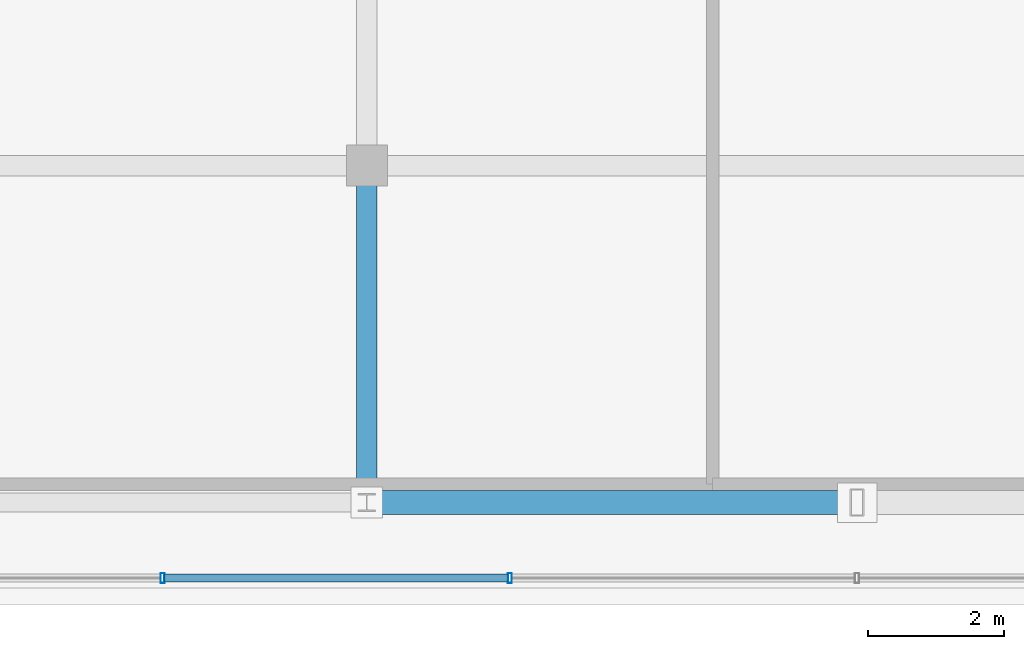
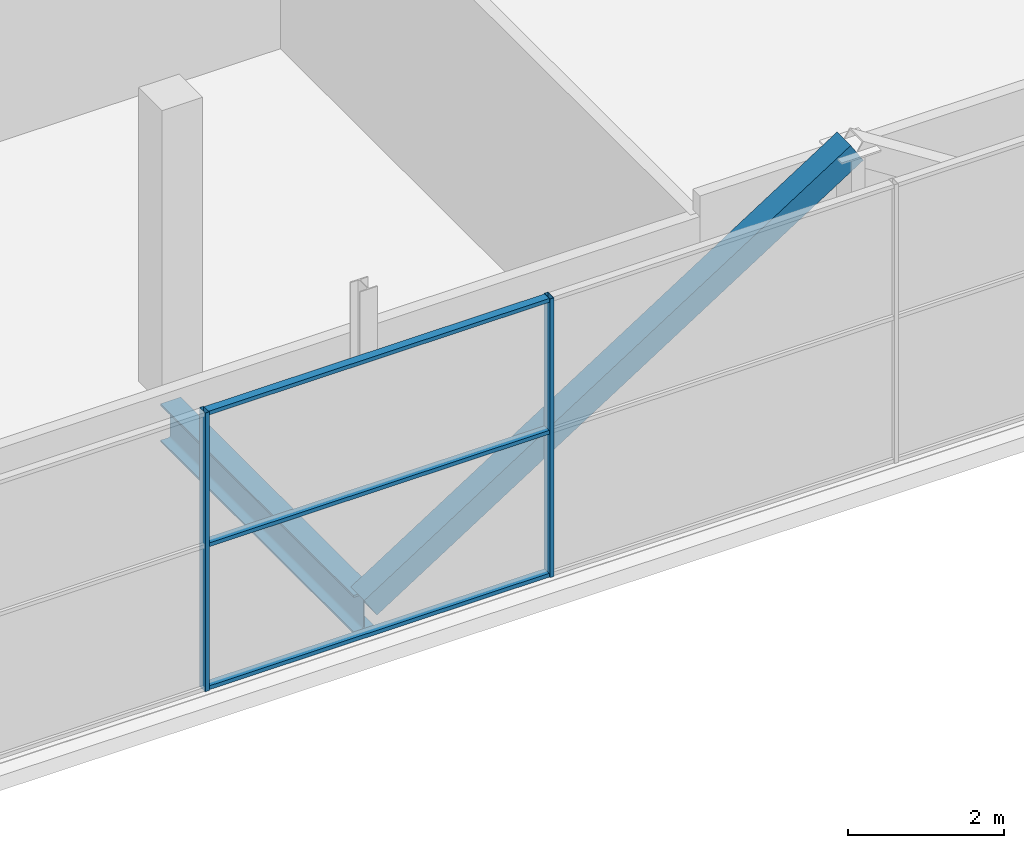
# One storey, part 5 of 28: 6 members, 1 beam, 1 element without a shape of its own.
"""IFC4 building model written with IfcOpenShell, lengths in metres."""

from ifc_helpers import new_model, si_unit, direction, frame, origin, origin_2d, place, context, subcontext, project, spatial, hollow_rectangle, i_section, extrude, source, transform, mapped, material, layer, layer_set, material_profile, profile_set, type_object, element, aggregate, save


model = new_model("IFC4")

# Units and contexts
model_context = context("Model", 3, precision=1e-05, world=origin(), true_north=direction((0.0, 1.0)))
body_context = subcontext(model_context, "Body", "Model", "MODEL_VIEW")
ifc_project = project(units=[si_unit("LENGTHUNIT", "METRE"), si_unit("AREAUNIT", "SQUARE_METRE"), si_unit("VOLUMEUNIT", "CUBIC_METRE"), si_unit("PLANEANGLEUNIT", "RADIAN"), si_unit("MASSUNIT", "GRAM", prefix="KILO")], contexts=[model_context])

# Site, building, storey
site_placement = place(None, origin())
site = spatial("IfcSite", under=ifc_project, at=site_placement, CompositionType="ELEMENT")
building_placement = place(site_placement, origin())
building = spatial("IfcBuilding", under=site, at=building_placement, Name="Zarnakvel Exchange Tower", CompositionType="ELEMENT")
storey_placement = place(building_placement, frame((0.0, 0.0, 290.0)))
storey = spatial("IfcBuildingStorey", under=building, at=storey_placement, Name="Crown L81", CompositionType="ELEMENT", Elevation=290.0)

# Beam
ifc_material_1 = material(Name="Steel S355", Category="steel")
ifc_material_profile_1 = material_profile(ifc_material_1, i_section(OverallWidth=0.300048828125, OverallDepth=0.60009765625, WebThickness=0.015380859375, FlangeThickness=0.030029296875, FilletRadius=0.027099609375, at=origin_2d()))
ifc_profile_set_1 = profile_set([ifc_material_profile_1], Name="Steel S355")
beam_type = type_object("IfcBeamType", Name="G-04", PredefinedType="BEAM", material=ifc_profile_set_1)
beam_placement = place(storey_placement, frame((-7.199951171875, -14.550048828125, -0.52001953125), z_axis=(0.0, 1.0, 0.0), x_axis=(-1.0, 0.0, 0.0)))
element("IfcBeam", 1, at=beam_placement, inside=storey, type_object=beam_type, Name="Crown L81 Tower N-S Frame Beam", PredefinedType="BEAM", context=body_context, shape_type="SweptSolid", body=[
    extrude(i_section(OverallWidth=0.300048828125, OverallDepth=0.60009765625, WebThickness=0.015380859375, FlangeThickness=0.030029296875, FilletRadius=0.027099609375, at=origin_2d()), origin(), (0.0, 0.0, 1.0), 4.949951171875),
])

# Member
ifc_material_profile_2 = material_profile(ifc_material_1, hollow_rectangle(XDim=0.35009765625, YDim=0.35009765625, WallThickness=0.01611328125, at=origin_2d()))
ifc_profile_set_2 = profile_set([ifc_material_profile_2], Name="Steel S355")
member_type_1 = type_object("IfcMemberType", Name="CB-BR1", PredefinedType="BRACE", material=ifc_profile_set_2)
shared_shape_1 = source(origin(), body_context, "Body", "SweptSolid", [
    extrude(hollow_rectangle(XDim=0.35009765625, YDim=0.35009765625, WallThickness=0.01611328125, at=origin_2d()), origin(), (0.0, 0.0, 1.0), 8.5439453125),
])
member_1_placement = place(storey_placement, frame((-7.199951171875, -14.550048828125, -0.360107421875), z_axis=(0.842689417531, 0.0, 0.53839998661), x_axis=(0.0, 1.0, 0.0)))
element("IfcMember", 2, at=member_1_placement, inside=storey, type_object=member_type_1, Name="Crown L81 Crown Chevron Brace L (CB-BR1)", PredefinedType="BRACE", context=body_context, shape_type="MappedRepresentation", body=[
    mapped(shared_shape_1, transform((0.0, 0.0, 0.0), x_axis=(1.0, 0.0, 0.0), y_axis=(0.0, 1.0, 0.0), z_axis=(0.0, 0.0, 1.0), scale=1.0)),
])

# Curtain wall, members
ifc_material_2 = material(Name="Architectural Bronze Anodised Aluminium", Category="aluminium")
ifc_layer = layer(ifc_material_2, 0.14990234375)
ifc_layer_set = layer_set([ifc_layer], Name="Architectural Bronze Anodised Aluminium")
curtain_wall_type = type_object("IfcCurtainWallType", Name="CW-07", PredefinedType="NOTDEFINED", material=ifc_layer_set)
curtain_wall_placement = place(storey_placement, origin())
curtain_wall = element("IfcCurtainWall", 3, at=curtain_wall_placement, inside=storey, type_object=curtain_wall_type, Name="Crown L81 Curtain Wall CW-Crown L81-S (CW-07)", PredefinedType="NOTDEFINED")
ifc_material_profile_3 = material_profile(ifc_material_2, hollow_rectangle(XDim=0.14990234375, YDim=0.06005859375, WallThickness=0.00390625, at=origin_2d()))
ifc_profile_set_3 = profile_set([ifc_material_profile_3], Name="Architectural Bronze Anodised Aluminium")
member_type_2 = type_object("IfcMemberType", Name="CWM-07", PredefinedType="MULLION", material=ifc_profile_set_3)
shared_shape_2 = source(origin(), body_context, "Body", "SweptSolid", [
    extrude(hollow_rectangle(XDim=0.14990234375, YDim=0.06005859375, WallThickness=0.00390625, at=origin_2d()), origin(), (0.0, 0.0, 1.0), 4.360107421875),
])
member_2_placement = place(storey_placement, frame((-10.199951171875, -15.659912109375, 0.0), z_axis=(0.0, 0.0, 1.0), x_axis=(0.0, 1.0, 0.0)))
member_2 = element("IfcMember", 4, at=member_2_placement, type_object=member_type_2, Name="CW-07 mullion 2", PredefinedType="MULLION", context=body_context, shape_type="MappedRepresentation", body=[
    mapped(shared_shape_2, transform((0.0, 0.0, 0.0), x_axis=(1.0, 0.0, 0.0), y_axis=(0.0, 1.0, 0.0), z_axis=(0.0, 0.0, 1.0), scale=1.0)),
])
member_3_placement = place(storey_placement, frame((-5.10009765625, -15.659912109375, 0.0), z_axis=(0.0, 0.0, 1.0), x_axis=(0.0, 1.0, 0.0)))
member_3 = element("IfcMember", 5, at=member_3_placement, type_object=member_type_2, Name="CW-07 mullion 3", PredefinedType="MULLION", context=body_context, shape_type="MappedRepresentation", body=[
    mapped(shared_shape_2, transform((0.0, 0.0, 0.0), x_axis=(1.0, 0.0, 0.0), y_axis=(0.0, 1.0, 0.0), z_axis=(0.0, 0.0, 1.0), scale=1.0)),
])
ifc_material_profile_4 = material_profile(ifc_material_2, hollow_rectangle(XDim=0.1201171875, YDim=0.06005859375, WallThickness=0.00390625, at=origin_2d()))
ifc_profile_set_4 = profile_set([ifc_material_profile_4], Name="Architectural Bronze Anodised Aluminium")
member_type_3 = type_object("IfcMemberType", Name="CWT-07", PredefinedType="USERDEFINED", material=ifc_profile_set_4)
shared_shape_3 = source(origin(), body_context, "Body", "SweptSolid", [
    extrude(hollow_rectangle(XDim=0.1201171875, YDim=0.06005859375, WallThickness=0.00390625, at=origin_2d()), origin(), (0.0, 0.0, 1.0), 5.0400390625),
])
member_4_placement = place(storey_placement, frame((-10.169921875, -15.659912109375, 0.030029296875), z_axis=(1.0, 0.0, 0.0), x_axis=(0.0, 1.0, 0.0)))
member_4 = element("IfcMember", 6, at=member_4_placement, type_object=member_type_3, Name="CW-07 transom 2.1", ObjectType="TRANSOM", PredefinedType="USERDEFINED", context=body_context, shape_type="MappedRepresentation", body=[
    mapped(shared_shape_3, transform((0.0, 0.0, 0.0), x_axis=(1.0, 0.0, 0.0), y_axis=(0.0, 1.0, 0.0), z_axis=(0.0, 0.0, 1.0), scale=1.0)),
])
member_5_placement = place(storey_placement, frame((-10.169921875, -15.659912109375, 2.26708984375), z_axis=(1.0, 0.0, 0.0), x_axis=(0.0, 1.0, 0.0)))
member_5 = element("IfcMember", 7, at=member_5_placement, type_object=member_type_3, Name="CW-07 transom 2.2", ObjectType="TRANSOM", PredefinedType="USERDEFINED", context=body_context, shape_type="MappedRepresentation", body=[
    mapped(shared_shape_3, transform((0.0, 0.0, 0.0), x_axis=(1.0, 0.0, 0.0), y_axis=(0.0, 1.0, 0.0), z_axis=(0.0, 0.0, 1.0), scale=1.0)),
])
member_6_placement = place(storey_placement, frame((-10.169921875, -15.659912109375, 4.330078125), z_axis=(1.0, 0.0, 0.0), x_axis=(0.0, 1.0, 0.0)))
member_6 = element("IfcMember", 8, at=member_6_placement, type_object=member_type_3, Name="CW-07 transom 2.3", ObjectType="TRANSOM", PredefinedType="USERDEFINED", context=body_context, shape_type="MappedRepresentation", body=[
    mapped(shared_shape_3, transform((0.0, 0.0, 0.0), x_axis=(1.0, 0.0, 0.0), y_axis=(0.0, 1.0, 0.0), z_axis=(0.0, 0.0, 1.0), scale=1.0)),
])
aggregate(curtain_wall, [member_2, member_3, member_4, member_5, member_6])

save(model, "model.ifc")
